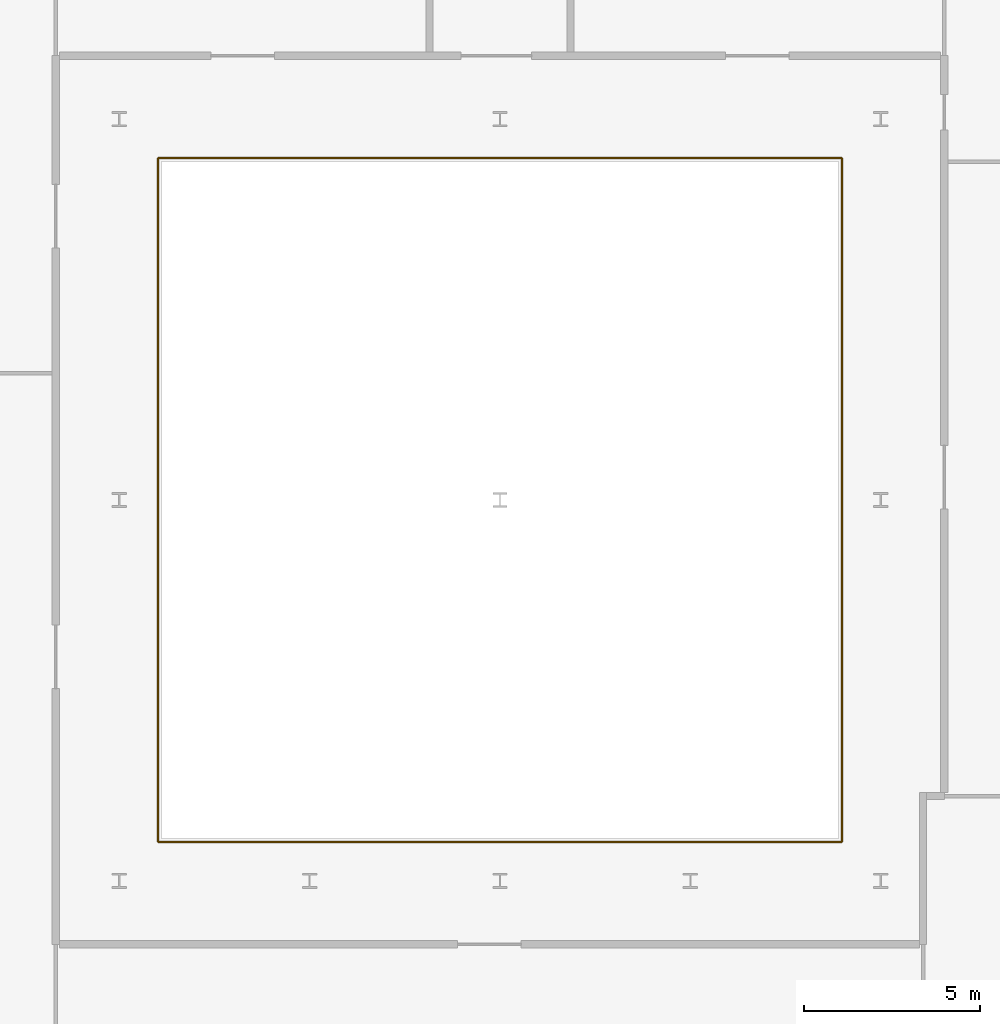
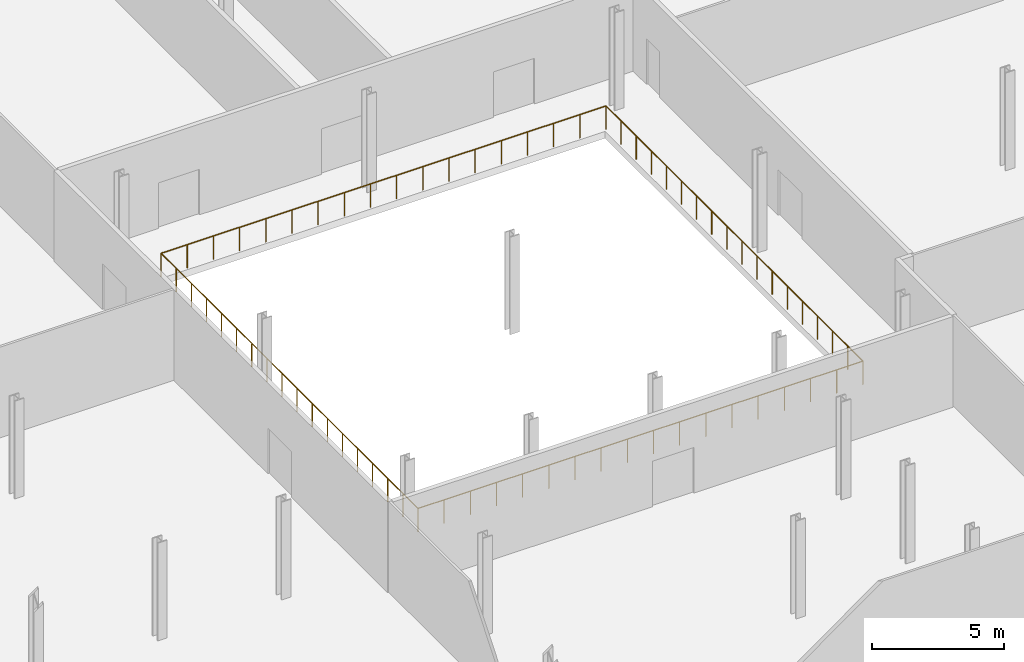
# One storey, part 43 of 47: 1 railing.
"""IFC4 building model written with IfcOpenShell, lengths in metres."""

from ifc_helpers import new_model, si_unit, direction, frame, origin, origin_2d, place, context, subcontext, project, spatial, circle, extrude, material, type_object, element, save


model = new_model("IFC4")

# Units and contexts
model_context = context("Model", 3, precision=1e-05, world=origin(), true_north=direction((0.0, 1.0)))
body_context = subcontext(model_context, "Body", "Model", "MODEL_VIEW")
ifc_project = project(units=[si_unit("LENGTHUNIT", "METRE"), si_unit("AREAUNIT", "SQUARE_METRE"), si_unit("VOLUMEUNIT", "CUBIC_METRE"), si_unit("PLANEANGLEUNIT", "RADIAN"), si_unit("MASSUNIT", "GRAM", prefix="KILO")], contexts=[model_context])

# Site, building, storey
site_placement = place(None, origin())
site = spatial("IfcSite", under=ifc_project, at=site_placement, CompositionType="ELEMENT")
building_placement = place(site_placement, origin())
building = spatial("IfcBuilding", under=site, at=building_placement, Name="Kheshtan School and Residences Tower", CompositionType="ELEMENT")
storey_placement = place(building_placement, frame((0.0, 0.0, 21.5)))
storey = spatial("IfcBuildingStorey", under=building, at=storey_placement, Name="L04", CompositionType="ELEMENT", Elevation=21.5)

# Railing
ifc_material = material(Name="Stainless steel balustrade", Category="steel")
railing_type = type_object("IfcRailingType", Name="Loggia guard 1100", PredefinedType="GUARDRAIL", material=ifc_material)
railing_placement = place(storey_placement, frame((89.699951171875, 46.699951171875, 0.0)))
element("IfcRailing", 1, at=railing_placement, inside=storey, type_object=railing_type, Name="Guard L04 A1", PredefinedType="GUARDRAIL", context=body_context, shape_type="SweptSolid", body=[
    extrude(circle(Radius=0.02392578125, at=origin_2d()), frame((0.0, 0.0, 1.076171875), z_axis=(-1.0, 0.0, 0.0), x_axis=(0.0, -1.0, 0.0)), (0.0, 0.0, 1.0), 19.39990234375),
    extrude(circle(Radius=0.02392578125, at=origin_2d()), frame((-19.39990234375, 0.0, 1.076171875), z_axis=(0.0, 1.0, 0.0), x_axis=(-1.0, 0.0, 0.0)), (0.0, 0.0, 1.0), 19.400146484375),
    extrude(circle(Radius=0.02392578125, at=origin_2d()), frame((-19.39990234375, 19.400146484375, 1.076171875), z_axis=(1.0, 0.0, 0.0), x_axis=(0.0, 1.0, 0.0)), (0.0, 0.0, 1.0), 19.39990234375),
    extrude(circle(Radius=0.02392578125, at=origin_2d()), frame((0.0, 19.400146484375, 1.076171875), z_axis=(0.0, -1.0, 0.0), x_axis=(1.0, 0.0, 0.0)), (0.0, 0.0, 1.0), 19.400146484375),
    extrude(circle(Radius=0.02099609375, at=origin_2d()), origin(), (0.0, 0.0, 1.0), 1.052001953125),
    extrude(circle(Radius=0.02099609375, at=origin_2d()), frame((-1.14111328125, 0.0, 0.0)), (0.0, 0.0, 1.0), 1.052001953125),
    extrude(circle(Radius=0.02099609375, at=origin_2d()), frame((-2.2822265625, 0.0, 0.0)), (0.0, 0.0, 1.0), 1.052001953125),
    extrude(circle(Radius=0.02099609375, at=origin_2d()), frame((-3.423583984375, 0.0, 0.0)), (0.0, 0.0, 1.0), 1.052001953125),
    extrude(circle(Radius=0.02099609375, at=origin_2d()), frame((-4.564697265625, 0.0, 0.0)), (0.0, 0.0, 1.0), 1.052001953125),
    extrude(circle(Radius=0.02099609375, at=origin_2d()), frame((-5.705810546875, 0.0, 0.0)), (0.0, 0.0, 1.0), 1.052001953125),
    extrude(circle(Radius=0.02099609375, at=origin_2d()), frame((-6.846923828125, 0.0, 0.0)), (0.0, 0.0, 1.0), 1.052001953125),
    extrude(circle(Radius=0.02099609375, at=origin_2d()), frame((-7.98828125, 0.0, 0.0)), (0.0, 0.0, 1.0), 1.052001953125),
    extrude(circle(Radius=0.02099609375, at=origin_2d()), frame((-9.12939453125, 0.0, 0.0)), (0.0, 0.0, 1.0), 1.052001953125),
    extrude(circle(Radius=0.02099609375, at=origin_2d()), frame((-10.2705078125, 0.0, 0.0)), (0.0, 0.0, 1.0), 1.052001953125),
    extrude(circle(Radius=0.02099609375, at=origin_2d()), frame((-11.41162109375, 0.0, 0.0)), (0.0, 0.0, 1.0), 1.052001953125),
    extrude(circle(Radius=0.02099609375, at=origin_2d()), frame((-12.552978515625, 0.0, 0.0)), (0.0, 0.0, 1.0), 1.052001953125),
    extrude(circle(Radius=0.02099609375, at=origin_2d()), frame((-13.694091796875, 0.0, 0.0)), (0.0, 0.0, 1.0), 1.052001953125),
    extrude(circle(Radius=0.02099609375, at=origin_2d()), frame((-14.835205078125, 0.0, 0.0)), (0.0, 0.0, 1.0), 1.052001953125),
    extrude(circle(Radius=0.02099609375, at=origin_2d()), frame((-15.976318359375, 0.0, 0.0)), (0.0, 0.0, 1.0), 1.052001953125),
    extrude(circle(Radius=0.02099609375, at=origin_2d()), frame((-17.11767578125, 0.0, 0.0)), (0.0, 0.0, 1.0), 1.052001953125),
    extrude(circle(Radius=0.02099609375, at=origin_2d()), frame((-18.2587890625, 0.0, 0.0)), (0.0, 0.0, 1.0), 1.052001953125),
    extrude(circle(Radius=0.02099609375, at=origin_2d()), frame((-19.39990234375, 0.0, 0.0)), (0.0, 0.0, 1.0), 1.052001953125),
    extrude(circle(Radius=0.02099609375, at=origin_2d()), frame((-19.39990234375, 1.14111328125, 0.0)), (0.0, 0.0, 1.0), 1.052001953125),
    extrude(circle(Radius=0.02099609375, at=origin_2d()), frame((-19.39990234375, 2.282470703125, 0.0)), (0.0, 0.0, 1.0), 1.052001953125),
    extrude(circle(Radius=0.02099609375, at=origin_2d()), frame((-19.39990234375, 3.423583984375, 0.0)), (0.0, 0.0, 1.0), 1.052001953125),
    extrude(circle(Radius=0.02099609375, at=origin_2d()), frame((-19.39990234375, 4.564697265625, 0.0)), (0.0, 0.0, 1.0), 1.052001953125),
    extrude(circle(Radius=0.02099609375, at=origin_2d()), frame((-19.39990234375, 5.705810546875, 0.0)), (0.0, 0.0, 1.0), 1.052001953125),
    extrude(circle(Radius=0.02099609375, at=origin_2d()), frame((-19.39990234375, 6.84716796875, 0.0)), (0.0, 0.0, 1.0), 1.052001953125),
    extrude(circle(Radius=0.02099609375, at=origin_2d()), frame((-19.39990234375, 7.98828125, 0.0)), (0.0, 0.0, 1.0), 1.052001953125),
    extrude(circle(Radius=0.02099609375, at=origin_2d()), frame((-19.39990234375, 9.12939453125, 0.0)), (0.0, 0.0, 1.0), 1.052001953125),
    extrude(circle(Radius=0.02099609375, at=origin_2d()), frame((-19.39990234375, 10.270751953125, 0.0)), (0.0, 0.0, 1.0), 1.052001953125),
    extrude(circle(Radius=0.02099609375, at=origin_2d()), frame((-19.39990234375, 11.411865234375, 0.0)), (0.0, 0.0, 1.0), 1.052001953125),
    extrude(circle(Radius=0.02099609375, at=origin_2d()), frame((-19.39990234375, 12.552978515625, 0.0)), (0.0, 0.0, 1.0), 1.052001953125),
    extrude(circle(Radius=0.02099609375, at=origin_2d()), frame((-19.39990234375, 13.6943359375, 0.0)), (0.0, 0.0, 1.0), 1.052001953125),
    extrude(circle(Radius=0.02099609375, at=origin_2d()), frame((-19.39990234375, 14.83544921875, 0.0)), (0.0, 0.0, 1.0), 1.052001953125),
    extrude(circle(Radius=0.02099609375, at=origin_2d()), frame((-19.39990234375, 15.9765625, 0.0)), (0.0, 0.0, 1.0), 1.052001953125),
    extrude(circle(Radius=0.02099609375, at=origin_2d()), frame((-19.39990234375, 17.11767578125, 0.0)), (0.0, 0.0, 1.0), 1.052001953125),
    extrude(circle(Radius=0.02099609375, at=origin_2d()), frame((-19.39990234375, 18.259033203125, 0.0)), (0.0, 0.0, 1.0), 1.052001953125),
    extrude(circle(Radius=0.02099609375, at=origin_2d()), frame((-19.39990234375, 19.400146484375, 0.0)), (0.0, 0.0, 1.0), 1.052001953125),
    extrude(circle(Radius=0.02099609375, at=origin_2d()), frame((-18.2587890625, 19.400146484375, 0.0)), (0.0, 0.0, 1.0), 1.052001953125),
    extrude(circle(Radius=0.02099609375, at=origin_2d()), frame((-17.11767578125, 19.400146484375, 0.0)), (0.0, 0.0, 1.0), 1.052001953125),
    extrude(circle(Radius=0.02099609375, at=origin_2d()), frame((-15.976318359375, 19.400146484375, 0.0)), (0.0, 0.0, 1.0), 1.052001953125),
    extrude(circle(Radius=0.02099609375, at=origin_2d()), frame((-14.835205078125, 19.400146484375, 0.0)), (0.0, 0.0, 1.0), 1.052001953125),
    extrude(circle(Radius=0.02099609375, at=origin_2d()), frame((-13.694091796875, 19.400146484375, 0.0)), (0.0, 0.0, 1.0), 1.052001953125),
    extrude(circle(Radius=0.02099609375, at=origin_2d()), frame((-12.552978515625, 19.400146484375, 0.0)), (0.0, 0.0, 1.0), 1.052001953125),
    extrude(circle(Radius=0.02099609375, at=origin_2d()), frame((-11.41162109375, 19.400146484375, 0.0)), (0.0, 0.0, 1.0), 1.052001953125),
    extrude(circle(Radius=0.02099609375, at=origin_2d()), frame((-10.2705078125, 19.400146484375, 0.0)), (0.0, 0.0, 1.0), 1.052001953125),
    extrude(circle(Radius=0.02099609375, at=origin_2d()), frame((-9.12939453125, 19.400146484375, 0.0)), (0.0, 0.0, 1.0), 1.052001953125),
    extrude(circle(Radius=0.02099609375, at=origin_2d()), frame((-7.98828125, 19.400146484375, 0.0)), (0.0, 0.0, 1.0), 1.052001953125),
    extrude(circle(Radius=0.02099609375, at=origin_2d()), frame((-6.846923828125, 19.400146484375, 0.0)), (0.0, 0.0, 1.0), 1.052001953125),
    extrude(circle(Radius=0.02099609375, at=origin_2d()), frame((-5.705810546875, 19.400146484375, 0.0)), (0.0, 0.0, 1.0), 1.052001953125),
    extrude(circle(Radius=0.02099609375, at=origin_2d()), frame((-4.564697265625, 19.400146484375, 0.0)), (0.0, 0.0, 1.0), 1.052001953125),
    extrude(circle(Radius=0.02099609375, at=origin_2d()), frame((-3.423583984375, 19.400146484375, 0.0)), (0.0, 0.0, 1.0), 1.052001953125),
    extrude(circle(Radius=0.02099609375, at=origin_2d()), frame((-2.2822265625, 19.400146484375, 0.0)), (0.0, 0.0, 1.0), 1.052001953125),
    extrude(circle(Radius=0.02099609375, at=origin_2d()), frame((-1.14111328125, 19.400146484375, 0.0)), (0.0, 0.0, 1.0), 1.052001953125),
    extrude(circle(Radius=0.02099609375, at=origin_2d()), frame((0.0, 19.400146484375, 0.0)), (0.0, 0.0, 1.0), 1.052001953125),
    extrude(circle(Radius=0.02099609375, at=origin_2d()), frame((0.0, 18.259033203125, 0.0)), (0.0, 0.0, 1.0), 1.052001953125),
    extrude(circle(Radius=0.02099609375, at=origin_2d()), frame((0.0, 17.11767578125, 0.0)), (0.0, 0.0, 1.0), 1.052001953125),
    extrude(circle(Radius=0.02099609375, at=origin_2d()), frame((0.0, 15.9765625, 0.0)), (0.0, 0.0, 1.0), 1.052001953125),
    extrude(circle(Radius=0.02099609375, at=origin_2d()), frame((0.0, 14.83544921875, 0.0)), (0.0, 0.0, 1.0), 1.052001953125),
    extrude(circle(Radius=0.02099609375, at=origin_2d()), frame((0.0, 13.6943359375, 0.0)), (0.0, 0.0, 1.0), 1.052001953125),
    extrude(circle(Radius=0.02099609375, at=origin_2d()), frame((0.0, 12.552978515625, 0.0)), (0.0, 0.0, 1.0), 1.052001953125),
    extrude(circle(Radius=0.02099609375, at=origin_2d()), frame((0.0, 11.411865234375, 0.0)), (0.0, 0.0, 1.0), 1.052001953125),
    extrude(circle(Radius=0.02099609375, at=origin_2d()), frame((0.0, 10.270751953125, 0.0)), (0.0, 0.0, 1.0), 1.052001953125),
    extrude(circle(Radius=0.02099609375, at=origin_2d()), frame((0.0, 9.12939453125, 0.0)), (0.0, 0.0, 1.0), 1.052001953125),
    extrude(circle(Radius=0.02099609375, at=origin_2d()), frame((0.0, 7.98828125, 0.0)), (0.0, 0.0, 1.0), 1.052001953125),
    extrude(circle(Radius=0.02099609375, at=origin_2d()), frame((0.0, 6.84716796875, 0.0)), (0.0, 0.0, 1.0), 1.052001953125),
    extrude(circle(Radius=0.02099609375, at=origin_2d()), frame((0.0, 5.705810546875, 0.0)), (0.0, 0.0, 1.0), 1.052001953125),
    extrude(circle(Radius=0.02099609375, at=origin_2d()), frame((0.0, 4.564697265625, 0.0)), (0.0, 0.0, 1.0), 1.052001953125),
    extrude(circle(Radius=0.02099609375, at=origin_2d()), frame((0.0, 3.423583984375, 0.0)), (0.0, 0.0, 1.0), 1.052001953125),
    extrude(circle(Radius=0.02099609375, at=origin_2d()), frame((0.0, 2.282470703125, 0.0)), (0.0, 0.0, 1.0), 1.052001953125),
    extrude(circle(Radius=0.02099609375, at=origin_2d()), frame((0.0, 1.14111328125, 0.0)), (0.0, 0.0, 1.0), 1.052001953125),
])

save(model, "model.ifc")
